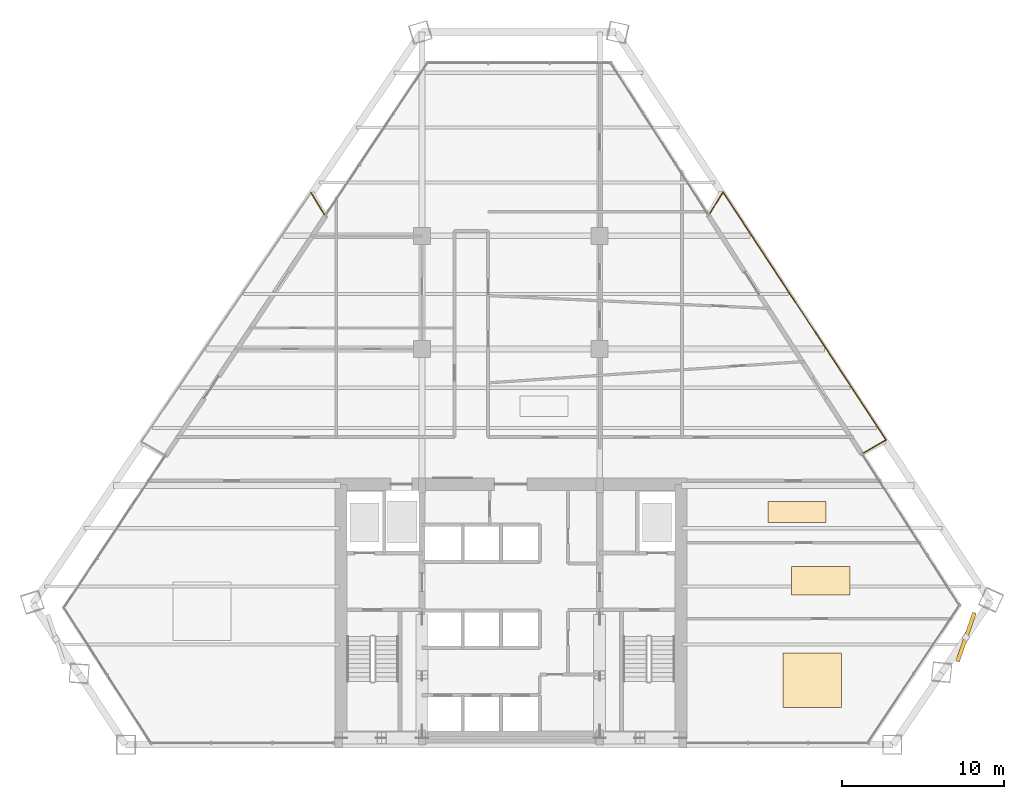
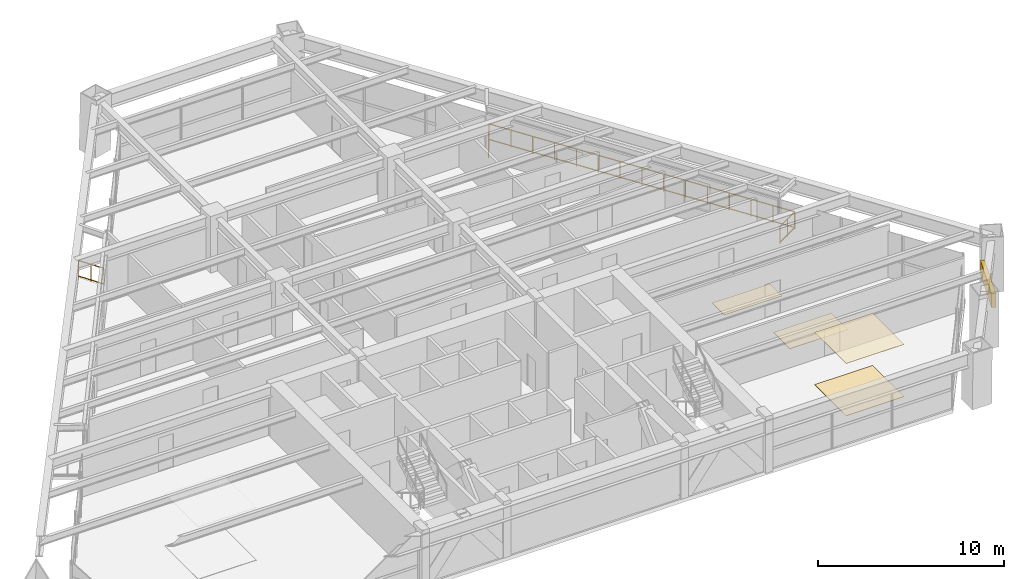
# One storey, part 14 of 15: 4 coverings, 4 railings, 1 shading device.
"""IFC4 building model written with IfcOpenShell, lengths in metres."""

from ifc_helpers import new_model, si_unit, direction, frame, origin, origin_2d, place, context, subcontext, project, spatial, rectangle, extrude, source, transform, mapped, material, layer, layer_set, type_object, type_shapes, element, save


model = new_model("IFC4")

# Units and contexts
model_context = context("Model", 3, precision=1e-05, world=origin(), true_north=direction((0.0, 1.0)))
body_context = subcontext(model_context, "Body", "Model", "MODEL_VIEW")
ifc_project = project(units=[si_unit("LENGTHUNIT", "METRE"), si_unit("AREAUNIT", "SQUARE_METRE"), si_unit("VOLUMEUNIT", "CUBIC_METRE"), si_unit("PLANEANGLEUNIT", "RADIAN"), si_unit("MASSUNIT", "GRAM", prefix="KILO")], contexts=[model_context])

# Site, building, storey
site_placement = place(None, origin())
site = spatial("IfcSite", under=ifc_project, at=site_placement, CompositionType="ELEMENT")
building_placement = place(site_placement, origin())
building = spatial("IfcBuilding", under=site, at=building_placement, Name="Varnakhor Terracotta Tower", CompositionType="ELEMENT")
storey_placement = place(building_placement, frame((0.0, 0.0, 109.89990234375)))
storey = spatial("IfcBuildingStorey", under=building, at=storey_placement, Name="L27", CompositionType="ELEMENT", Elevation=109.89990234375)

# Railings
ifc_material_1 = material(Name="Stainless Steel & Laminated Glass Guardrail", Category="steel")
railing_type = type_object("IfcRailingType", Name="RLG-LOGGIA-GUARD-1150", PredefinedType="GUARDRAIL", material=ifc_material_1)
railing_1_placement = place(storey_placement, frame((12.319580078125, 32.88134765625, 0.0)))
element("IfcRailing", 1, at=railing_1_placement, inside=storey, type_object=railing_type, Name="L27 E Loggia Glass Guard 1", PredefinedType="GUARDRAIL", context=body_context, shape_type="SweptSolid", body=[
    extrude(rectangle(XDim=0.048095703125, YDim=0.048095703125, at=origin_2d()), frame((0.0, 0.0, 1.1259765625), z_axis=(0.521361371743, 0.853335994819, 0.0), x_axis=(-0.853335994819, 0.521361371743, 0.0)), (0.0, 0.0, 1.0), 1.559814453125),
    extrude(rectangle(XDim=0.048095703125, YDim=0.048095703125, at=origin_2d()), frame((0.0, 0.0, 0.10009765625), z_axis=(0.521361371743, 0.853335994819, 0.0), x_axis=(-0.853335994819, 0.521361371743, 0.0)), (0.0, 0.0, 1.0), 1.559814453125),
    extrude(rectangle(XDim=0.0419921875, YDim=0.0419921875, at=origin_2d()), origin(), (0.0, 0.0, 1.0), 1.101806640625),
    extrude(rectangle(XDim=0.0419921875, YDim=0.0419921875, at=origin_2d()), frame((0.40673828125, 0.66552734375, 0.0)), (0.0, 0.0, 1.0), 1.101806640625),
    extrude(rectangle(XDim=0.0419921875, YDim=0.0419921875, at=origin_2d()), frame((0.813232421875, 1.3310546875, 0.0)), (0.0, 0.0, 1.0), 1.101806640625),
])
railing_2_placement = place(storey_placement, frame((13.1328125, 34.21240234375, 0.0)))
element("IfcRailing", 2, at=railing_2_placement, inside=storey, type_object=railing_type, Name="L27 E Loggia Glass Guard 2", PredefinedType="GUARDRAIL", context=body_context, shape_type="SweptSolid", body=[
    extrude(rectangle(XDim=0.048095703125, YDim=0.048095703125, at=origin_2d()), frame((0.0, 0.0, 1.1259765625), z_axis=(0.549706086284, -0.835358137988, 0.0), x_axis=(0.835358137988, 0.549706086284, 0.0)), (0.0, 0.0, 1.0), 18.36865234375),
    extrude(rectangle(XDim=0.048095703125, YDim=0.048095703125, at=origin_2d()), frame((0.0, 0.0, 0.10009765625), z_axis=(0.549706086284, -0.835358137988, 0.0), x_axis=(0.835358137988, 0.549706086284, 0.0)), (0.0, 0.0, 1.0), 18.36865234375),
    extrude(rectangle(XDim=0.0419921875, YDim=0.0419921875, at=origin_2d()), origin(), (0.0, 0.0, 1.0), 1.101806640625),
    extrude(rectangle(XDim=0.0419921875, YDim=0.0419921875, at=origin_2d()), frame((0.72119140625, -1.095947265625, 0.0)), (0.0, 0.0, 1.0), 1.101806640625),
    extrude(rectangle(XDim=0.0419921875, YDim=0.0419921875, at=origin_2d()), frame((1.4423828125, -2.192138671875, 0.0)), (0.0, 0.0, 1.0), 1.101806640625),
    extrude(rectangle(XDim=0.0419921875, YDim=0.0419921875, at=origin_2d()), frame((2.163818359375, -3.2880859375, 0.0)), (0.0, 0.0, 1.0), 1.101806640625),
    extrude(rectangle(XDim=0.0419921875, YDim=0.0419921875, at=origin_2d()), frame((2.885009765625, -4.384033203125, 0.0)), (0.0, 0.0, 1.0), 1.101806640625),
    extrude(rectangle(XDim=0.0419921875, YDim=0.0419921875, at=origin_2d()), frame((3.606201171875, -5.480224609375, 0.0)), (0.0, 0.0, 1.0), 1.101806640625),
    extrude(rectangle(XDim=0.0419921875, YDim=0.0419921875, at=origin_2d()), frame((4.327392578125, -6.576171875, 0.0)), (0.0, 0.0, 1.0), 1.101806640625),
    extrude(rectangle(XDim=0.0419921875, YDim=0.0419921875, at=origin_2d()), frame((5.048828125, -7.67236328125, 0.0)), (0.0, 0.0, 1.0), 1.101806640625),
    extrude(rectangle(XDim=0.0419921875, YDim=0.0419921875, at=origin_2d()), frame((5.77001953125, -8.768310546875, 0.0)), (0.0, 0.0, 1.0), 1.101806640625),
    extrude(rectangle(XDim=0.0419921875, YDim=0.0419921875, at=origin_2d()), frame((6.4912109375, -9.8642578125, 0.0)), (0.0, 0.0, 1.0), 1.101806640625),
    extrude(rectangle(XDim=0.0419921875, YDim=0.0419921875, at=origin_2d()), frame((7.21240234375, -10.96044921875, 0.0)), (0.0, 0.0, 1.0), 1.101806640625),
    extrude(rectangle(XDim=0.0419921875, YDim=0.0419921875, at=origin_2d()), frame((7.93359375, -12.056396484375, 0.0)), (0.0, 0.0, 1.0), 1.101806640625),
    extrude(rectangle(XDim=0.0419921875, YDim=0.0419921875, at=origin_2d()), frame((8.655029296875, -13.15234375, 0.0)), (0.0, 0.0, 1.0), 1.101806640625),
    extrude(rectangle(XDim=0.0419921875, YDim=0.0419921875, at=origin_2d()), frame((9.376220703125, -14.24853515625, 0.0)), (0.0, 0.0, 1.0), 1.101806640625),
    extrude(rectangle(XDim=0.0419921875, YDim=0.0419921875, at=origin_2d()), frame((10.097412109375, -15.344482421875, 0.0)), (0.0, 0.0, 1.0), 1.101806640625),
])
railing_3_placement = place(storey_placement, frame((23.230224609375, 18.867919921875, 0.0)))
element("IfcRailing", 3, at=railing_3_placement, inside=storey, type_object=railing_type, Name="L27 E Loggia Glass Guard 3", PredefinedType="GUARDRAIL", context=body_context, shape_type="SweptSolid", body=[
    extrude(rectangle(XDim=0.048095703125, YDim=0.048095703125, at=origin_2d()), frame((0.0, 0.0, 1.1259765625), z_axis=(-0.863927994522, -0.50361534953, 0.0), x_axis=(0.50361534953, -0.863927994522, 0.0)), (0.0, 0.0, 1.0), 1.603271484375),
    extrude(rectangle(XDim=0.048095703125, YDim=0.048095703125, at=origin_2d()), frame((0.0, 0.0, 0.10009765625), z_axis=(-0.863927994522, -0.50361534953, 0.0), x_axis=(0.50361534953, -0.863927994522, 0.0)), (0.0, 0.0, 1.0), 1.603271484375),
    extrude(rectangle(XDim=0.0419921875, YDim=0.0419921875, at=origin_2d()), origin(), (0.0, 0.0, 1.0), 1.101806640625),
    extrude(rectangle(XDim=0.0419921875, YDim=0.0419921875, at=origin_2d()), frame((-0.6923828125, -0.40380859375, 0.0)), (0.0, 0.0, 1.0), 1.101806640625),
    extrude(rectangle(XDim=0.0419921875, YDim=0.0419921875, at=origin_2d()), frame((-1.385009765625, -0.807373046875, 0.0)), (0.0, 0.0, 1.0), 1.101806640625),
])
railing_4_placement = place(storey_placement, frame((-12.369384765625, 34.170654296875, 0.0)))
element("IfcRailing", 4, at=railing_4_placement, inside=storey, type_object=railing_type, Name="L27 W Loggia Glass Guard 3", PredefinedType="GUARDRAIL", context=body_context, shape_type="SweptSolid", body=[
    extrude(rectangle(XDim=0.048095703125, YDim=0.048095703125, at=origin_2d()), frame((0.0, 0.0, 1.1259765625), z_axis=(0.522848264337, -0.852425769484, 0.0), x_axis=(0.852425769484, 0.522848264337, 0.0)), (0.0, 0.0, 1.0), 1.56005859375),
    extrude(rectangle(XDim=0.048095703125, YDim=0.048095703125, at=origin_2d()), frame((0.0, 0.0, 0.10009765625), z_axis=(0.522848264337, -0.852425769484, 0.0), x_axis=(0.852425769484, 0.522848264337, 0.0)), (0.0, 0.0, 1.0), 1.56005859375),
    extrude(rectangle(XDim=0.0419921875, YDim=0.0419921875, at=origin_2d()), origin(), (0.0, 0.0, 1.0), 1.101806640625),
    extrude(rectangle(XDim=0.0419921875, YDim=0.0419921875, at=origin_2d()), frame((0.40771484375, -0.6650390625, 0.0)), (0.0, 0.0, 1.0), 1.101806640625),
    extrude(rectangle(XDim=0.0419921875, YDim=0.0419921875, at=origin_2d()), frame((0.815673828125, -1.329833984375, 0.0)), (0.0, 0.0, 1.0), 1.101806640625),
])

# Shading device
ifc_material_2 = material(Name="Extruded Architectural Terracotta Screen", Category="masonry")
shading_device_type = type_object("IfcShadingDeviceType", Name="TERRACOTTA SOLAR SCREEN E", PredefinedType="USERDEFINED", material=ifc_material_2)
shared_shape_1 = source(origin(), body_context, "Body", "SweptSolid", [
    extrude(rectangle(XDim=3.199951171875, YDim=0.239990234375, at=origin_2d()), origin(), (0.0, 0.0, 1.0), 0.919921875),
])
type_shapes(shading_device_type, [shared_shape_1])
shading_device_placement = place(storey_placement, frame((28.17431640625, 6.6572265625, 1.6181640625), z_axis=(0.0, 0.0, 1.0), x_axis=(0.328899611492, 0.944364890051, 0.0)))
element("IfcShadingDevice", 5, at=shading_device_placement, inside=storey, type_object=shading_device_type, Name="L27 E Terracotta Solar Screen", ObjectType="SCREEN", PredefinedType="USERDEFINED", context=body_context, shape_type="MappedRepresentation", body=[
    mapped(shared_shape_1, transform((0.0, 0.0, 0.0), scale=1.0)),
])

# Coverings
ifc_material_3 = material(Name="Honed Riyadh Limestone Flooring", Category="masonry")
ifc_layer_1 = layer(ifc_material_3, 0.030029296875, Name="Honed Riyadh Limestone Flooring")
ifc_layer_set_1 = layer_set([ifc_layer_1], Name="Honed Riyadh Limestone Flooring")
covering_type_1 = type_object("IfcCoveringType", Name="COV-FLOOR-LIMESTONE", PredefinedType="FLOORING", material=ifc_layer_set_1)
shared_shape_2 = source(origin(), body_context, "Body", "SweptSolid", [
    extrude(rectangle(XDim=3.60009765625, YDim=1.785888671875, at=origin_2d()), origin(), (0.0, 0.0, 1.0), 0.02001953125),
])
covering_1_placement = place(storey_placement, frame((19.18310546875, 10.14990234375, 0.0), z_axis=(0.0, 0.0, 1.0), x_axis=(1.0, 0.0, 0.0)))
element("IfcCovering", 6, at=covering_1_placement, inside=storey, type_object=covering_type_1, Name="L27 Honed Stone Flooring 3", PredefinedType="FLOORING", context=body_context, shape_type="MappedRepresentation", body=[
    mapped(shared_shape_2, transform((0.0, 0.0, 0.0), scale=1.0)),
])
shared_shape_3 = source(origin(), body_context, "Body", "SweptSolid", [
    extrude(rectangle(XDim=3.60009765625, YDim=3.37890625, at=origin_2d()), origin(), (0.0, 0.0, 1.0), 0.02001953125),
])
covering_2_placement = place(storey_placement, frame((18.660888671875, 4.001953125, 0.0), z_axis=(0.0, 0.0, 1.0), x_axis=(1.0, 0.0, 0.0)))
element("IfcCovering", 7, at=covering_2_placement, inside=storey, type_object=covering_type_1, Name="L27 Honed Stone Flooring 1", PredefinedType="FLOORING", context=body_context, shape_type="MappedRepresentation", body=[
    mapped(shared_shape_3, transform((0.0, 0.0, 0.0), scale=1.0)),
])
ifc_material_4 = material(Name="Perforated Acoustic Mineral-Fibre Ceiling", Category="gypsum")
ifc_layer_2 = layer(ifc_material_4, 0.02490234375, Name="Perforated Acoustic Mineral-Fibre Ceiling")
ifc_layer_set_2 = layer_set([ifc_layer_2], Name="Perforated Acoustic Mineral-Fibre Ceiling")
covering_type_2 = type_object("IfcCoveringType", Name="COV-CEILING-ACOUSTIC", PredefinedType="CEILING", material=ifc_layer_set_2)
shared_shape_4 = source(origin(), body_context, "Body", "SweptSolid", [
    extrude(rectangle(XDim=3.60009765625, YDim=3.37890625, at=origin_2d()), origin(), (0.0, 0.0, 1.0), 0.02392578125),
])
covering_3_placement = place(storey_placement, frame((18.660888671875, 4.001953125, 3.426025390625), z_axis=(0.0, 0.0, 1.0), x_axis=(1.0, 0.0, 0.0)))
element("IfcCovering", 8, at=covering_3_placement, inside=storey, type_object=covering_type_2, Name="L27 Acoustic Ceiling Panel 1", PredefinedType="CEILING", context=body_context, shape_type="MappedRepresentation", body=[
    mapped(shared_shape_4, transform((0.0, 0.0, 0.0), scale=1.0)),
])
shared_shape_5 = source(origin(), body_context, "Body", "SweptSolid", [
    extrude(rectangle(XDim=3.60009765625, YDim=1.306884765625, at=origin_2d()), origin(), (0.0, 0.0, 1.0), 0.02001953125),
])
covering_4_placement = place(storey_placement, frame((17.7080078125, 14.4140625, 0.0), z_axis=(0.0, 0.0, 1.0), x_axis=(1.0, 0.0, 0.0)))
element("IfcCovering", 9, at=covering_4_placement, inside=storey, type_object=covering_type_1, Name="L27 Honed Stone Flooring 4", PredefinedType="FLOORING", context=body_context, shape_type="MappedRepresentation", body=[
    mapped(shared_shape_5, transform((0.0, 0.0, 0.0), scale=1.0)),
])

save(model, "model.ifc")
